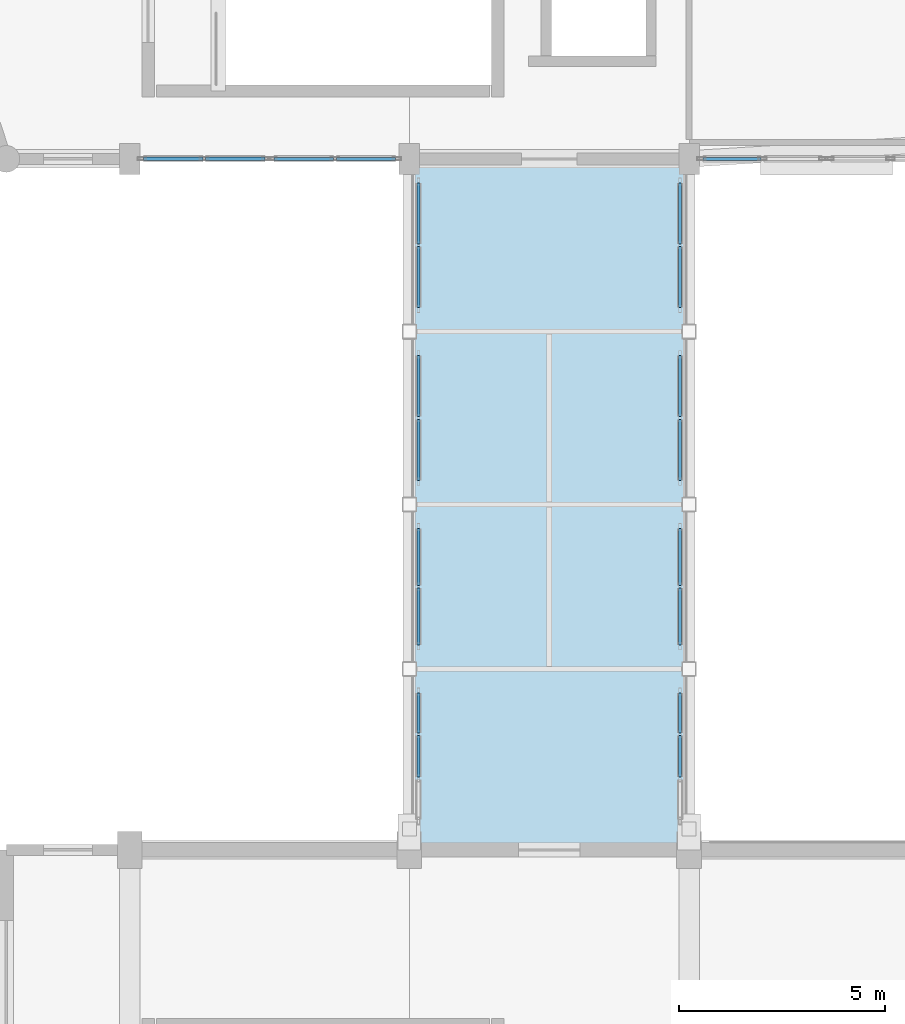
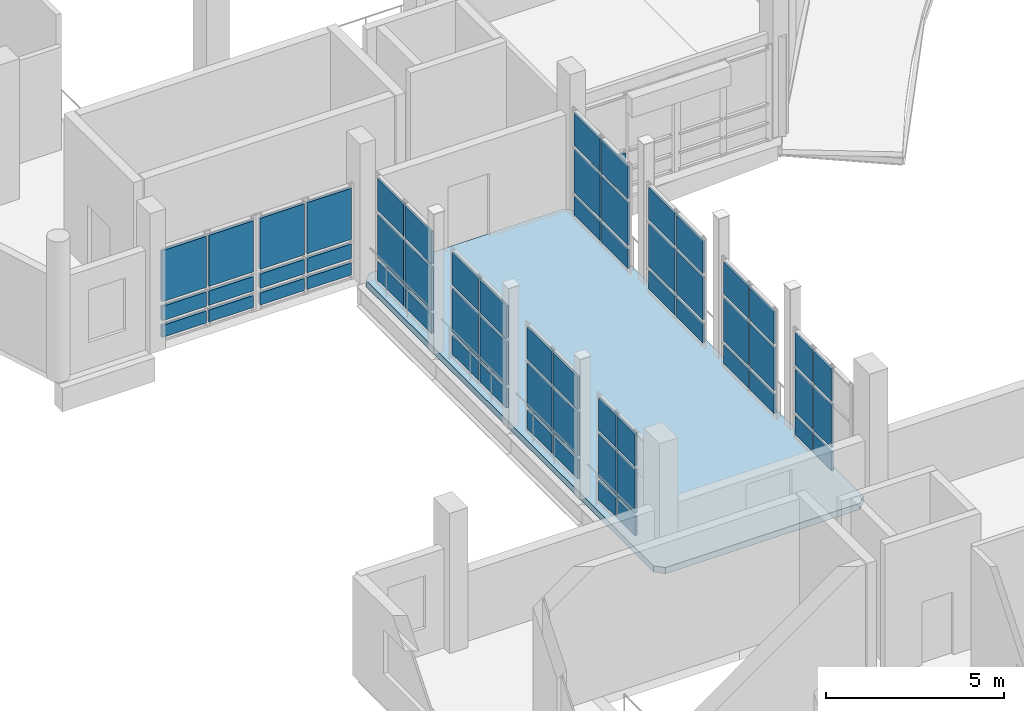
# One storey, part 69 of 106: 62 plates, 1 slab, 11 elements without a shape of their own.
"""IFC4 building model written with IfcOpenShell, lengths in metres."""

from ifc_helpers import new_model, si_unit, direction, frame, origin, origin_2d, place, context, subcontext, project, spatial, polyline, rectangle, outline, extrude, material, layer, layer_set, type_object, element, aggregate, save


model = new_model("IFC4")

# Units and contexts
model_context = context("Model", 3, precision=1e-05, world=origin(), true_north=direction((0.0, 1.0)))
body_context = subcontext(model_context, "Body", "Model", "MODEL_VIEW")
ifc_project = project(units=[si_unit("LENGTHUNIT", "METRE"), si_unit("AREAUNIT", "SQUARE_METRE"), si_unit("VOLUMEUNIT", "CUBIC_METRE"), si_unit("PLANEANGLEUNIT", "RADIAN"), si_unit("MASSUNIT", "GRAM", prefix="KILO")], contexts=[model_context])

# Site, building, storey
site_placement = place(None, origin())
site = spatial("IfcSite", under=ifc_project, at=site_placement, CompositionType="ELEMENT")
building_placement = place(site_placement, origin())
building = spatial("IfcBuilding", under=site, at=building_placement, Name="Kisaragi Civic Commons", CompositionType="ELEMENT")
storey_placement = place(building_placement, frame((0.0, 0.0, 4.800048828125)))
storey = spatial("IfcBuildingStorey", under=building, at=storey_placement, Name="L01", CompositionType="ELEMENT", Elevation=4.800048828125)

# Curtain wall, plates
ifc_material_1 = material(Name="Thermally broken anodized aluminium and low-E double glazing", Category="aluminium")
ifc_layer_1 = layer(ifc_material_1, 0.179931640625, Name="Thermally broken anodized aluminium and low-E double glazing", Category="aluminium")
ifc_layer_set_1 = layer_set([ifc_layer_1], Name="Thermally broken anodized aluminium and low-E double glazing")
curtain_wall_type_1 = type_object("IfcCurtainWallType", Name="CW-04", PredefinedType="NOTDEFINED", material=ifc_layer_set_1)
curtain_wall_1_placement = place(storey_placement, origin())
curtain_wall_1 = element("IfcCurtainWall", 1, at=curtain_wall_1_placement, inside=storey, type_object=curtain_wall_type_1, Name="L01 curtain wall CW-04 CW-BR-125", PredefinedType="NOTDEFINED")
ifc_layer_2 = layer(ifc_material_1, 0.068115234375, Name="Thermally broken anodized aluminium and low-E double glazing", Category="aluminium")
ifc_layer_set_2 = layer_set([ifc_layer_2], Name="Thermally broken anodized aluminium and low-E double glazing")
plate_type_1 = type_object("IfcPlateType", Name="CWP-08", PredefinedType="CURTAIN_PANEL", material=ifc_layer_set_2)
plate_1_placement = place(storey_placement, frame((13.820068359375, 64.675048828125, 0.14013671875), z_axis=(0.0, 0.0, 1.0), x_axis=(0.0, 1.0, 0.0)))
plate_1 = element("IfcPlate", 2, at=plate_1_placement, type_object=plate_type_1, Name="CW-04 panel 2.1", PredefinedType="CURTAIN_PANEL", context=body_context, shape_type="SweptSolid", body=[
    extrude(rectangle(XDim=1.0048828125, YDim=0.068115234375, at=origin_2d()), origin(), (0.0, 0.0, 1.0), 0.639892578125),
])
plate_2_placement = place(storey_placement, frame((13.820068359375, 64.675048828125, 0.919921875), z_axis=(0.0, 0.0, 1.0), x_axis=(0.0, 1.0, 0.0)))
plate_2 = element("IfcPlate", 3, at=plate_2_placement, type_object=plate_type_1, Name="CW-04 panel 2.2", PredefinedType="CURTAIN_PANEL", context=body_context, shape_type="SweptSolid", body=[
    extrude(rectangle(XDim=1.0048828125, YDim=0.068115234375, at=origin_2d()), origin(), (0.0, 0.0, 1.0), 1.4599609375),
])
plate_3_placement = place(storey_placement, frame((13.820068359375, 64.675048828125, 2.52001953125), z_axis=(0.0, 0.0, 1.0), x_axis=(0.0, 1.0, 0.0)))
plate_3 = element("IfcPlate", 4, at=plate_3_placement, type_object=plate_type_1, Name="CW-04 panel 2.3", PredefinedType="CURTAIN_PANEL", context=body_context, shape_type="SweptSolid", body=[
    extrude(rectangle(XDim=1.0048828125, YDim=0.068115234375, at=origin_2d()), origin(), (0.0, 0.0, 1.0), 1.10009765625),
])
plate_4_placement = place(storey_placement, frame((13.820068359375, 65.728759765625, 0.14013671875), z_axis=(0.0, 0.0, 1.0), x_axis=(0.0, 1.0, 0.0)))
plate_4 = element("IfcPlate", 5, at=plate_4_placement, type_object=plate_type_1, Name="CW-04 panel 3.1", PredefinedType="CURTAIN_PANEL", context=body_context, shape_type="SweptSolid", body=[
    extrude(rectangle(XDim=0.972412109375, YDim=0.068115234375, at=origin_2d()), origin(), (0.0, 0.0, 1.0), 0.639892578125),
])
plate_5_placement = place(storey_placement, frame((13.820068359375, 65.728759765625, 0.919921875), z_axis=(0.0, 0.0, 1.0), x_axis=(0.0, 1.0, 0.0)))
plate_5 = element("IfcPlate", 6, at=plate_5_placement, type_object=plate_type_1, Name="CW-04 panel 3.2", PredefinedType="CURTAIN_PANEL", context=body_context, shape_type="SweptSolid", body=[
    extrude(rectangle(XDim=0.972412109375, YDim=0.068115234375, at=origin_2d()), origin(), (0.0, 0.0, 1.0), 1.4599609375),
])
plate_6_placement = place(storey_placement, frame((13.820068359375, 65.728759765625, 2.52001953125), z_axis=(0.0, 0.0, 1.0), x_axis=(0.0, 1.0, 0.0)))
plate_6 = element("IfcPlate", 7, at=plate_6_placement, type_object=plate_type_1, Name="CW-04 panel 3.3", PredefinedType="CURTAIN_PANEL", context=body_context, shape_type="SweptSolid", body=[
    extrude(rectangle(XDim=0.972412109375, YDim=0.068115234375, at=origin_2d()), origin(), (0.0, 0.0, 1.0), 1.10009765625),
])
aggregate(curtain_wall_1, [plate_1, plate_2, plate_3, plate_4, plate_5, plate_6])

curtain_wall_2_placement = place(storey_placement, origin())
curtain_wall_2 = element("IfcCurtainWall", 8, at=curtain_wall_2_placement, inside=storey, type_object=curtain_wall_type_1, Name="L01 curtain wall CW-04 CW-BR-126", PredefinedType="NOTDEFINED")
plate_7_placement = place(storey_placement, frame((13.820068359375, 68.076171875, 0.14013671875), z_axis=(0.0, 0.0, 1.0), x_axis=(0.0, 1.0, 0.0)))
plate_7 = element("IfcPlate", 9, at=plate_7_placement, type_object=plate_type_1, Name="CW-04 panel 1.1", PredefinedType="CURTAIN_PANEL", context=body_context, shape_type="SweptSolid", body=[
    extrude(rectangle(XDim=1.382568359375, YDim=0.068115234375, at=origin_2d()), origin(), (0.0, 0.0, 1.0), 0.639892578125),
])
plate_8_placement = place(storey_placement, frame((13.820068359375, 68.076171875, 0.919921875), z_axis=(0.0, 0.0, 1.0), x_axis=(0.0, 1.0, 0.0)))
plate_8 = element("IfcPlate", 10, at=plate_8_placement, type_object=plate_type_1, Name="CW-04 panel 1.2", PredefinedType="CURTAIN_PANEL", context=body_context, shape_type="SweptSolid", body=[
    extrude(rectangle(XDim=1.382568359375, YDim=0.068115234375, at=origin_2d()), origin(), (0.0, 0.0, 1.0), 1.4599609375),
])
plate_9_placement = place(storey_placement, frame((13.820068359375, 68.076171875, 2.52001953125), z_axis=(0.0, 0.0, 1.0), x_axis=(0.0, 1.0, 0.0)))
plate_9 = element("IfcPlate", 11, at=plate_9_placement, type_object=plate_type_1, Name="CW-04 panel 1.3", PredefinedType="CURTAIN_PANEL", context=body_context, shape_type="SweptSolid", body=[
    extrude(rectangle(XDim=1.382568359375, YDim=0.068115234375, at=origin_2d()), origin(), (0.0, 0.0, 1.0), 1.10009765625),
])
plate_10_placement = place(storey_placement, frame((13.820068359375, 69.523681640625, 0.14013671875), z_axis=(0.0, 0.0, 1.0), x_axis=(0.0, 1.0, 0.0)))
plate_10 = element("IfcPlate", 12, at=plate_10_placement, type_object=plate_type_1, Name="CW-04 panel 2.1", PredefinedType="CURTAIN_PANEL", context=body_context, shape_type="SweptSolid", body=[
    extrude(rectangle(XDim=1.382568359375, YDim=0.068115234375, at=origin_2d()), origin(), (0.0, 0.0, 1.0), 0.639892578125),
])
plate_11_placement = place(storey_placement, frame((13.820068359375, 69.523681640625, 0.919921875), z_axis=(0.0, 0.0, 1.0), x_axis=(0.0, 1.0, 0.0)))
plate_11 = element("IfcPlate", 13, at=plate_11_placement, type_object=plate_type_1, Name="CW-04 panel 2.2", PredefinedType="CURTAIN_PANEL", context=body_context, shape_type="SweptSolid", body=[
    extrude(rectangle(XDim=1.382568359375, YDim=0.068115234375, at=origin_2d()), origin(), (0.0, 0.0, 1.0), 1.4599609375),
])
plate_12_placement = place(storey_placement, frame((13.820068359375, 69.523681640625, 2.52001953125), z_axis=(0.0, 0.0, 1.0), x_axis=(0.0, 1.0, 0.0)))
plate_12 = element("IfcPlate", 14, at=plate_12_placement, type_object=plate_type_1, Name="CW-04 panel 2.3", PredefinedType="CURTAIN_PANEL", context=body_context, shape_type="SweptSolid", body=[
    extrude(rectangle(XDim=1.382568359375, YDim=0.068115234375, at=origin_2d()), origin(), (0.0, 0.0, 1.0), 1.10009765625),
])
aggregate(curtain_wall_2, [plate_7, plate_8, plate_9, plate_10, plate_11, plate_12])

curtain_wall_3_placement = place(storey_placement, origin())
curtain_wall_3 = element("IfcCurtainWall", 15, at=curtain_wall_3_placement, inside=storey, type_object=curtain_wall_type_1, Name="L01 curtain wall CW-04 CW-BR-127", PredefinedType="NOTDEFINED")
plate_13_placement = place(storey_placement, frame((13.820068359375, 72.126220703125, 0.14013671875), z_axis=(0.0, 0.0, 1.0), x_axis=(0.0, 1.0, 0.0)))
plate_13 = element("IfcPlate", 16, at=plate_13_placement, type_object=plate_type_1, Name="CW-04 panel 1.1", PredefinedType="CURTAIN_PANEL", context=body_context, shape_type="SweptSolid", body=[
    extrude(rectangle(XDim=1.482421875, YDim=0.068115234375, at=origin_2d()), origin(), (0.0, 0.0, 1.0), 0.639892578125),
])
plate_14_placement = place(storey_placement, frame((13.820068359375, 72.126220703125, 0.919921875), z_axis=(0.0, 0.0, 1.0), x_axis=(0.0, 1.0, 0.0)))
plate_14 = element("IfcPlate", 17, at=plate_14_placement, type_object=plate_type_1, Name="CW-04 panel 1.2", PredefinedType="CURTAIN_PANEL", context=body_context, shape_type="SweptSolid", body=[
    extrude(rectangle(XDim=1.482421875, YDim=0.068115234375, at=origin_2d()), origin(), (0.0, 0.0, 1.0), 1.4599609375),
])
plate_15_placement = place(storey_placement, frame((13.820068359375, 72.126220703125, 2.52001953125), z_axis=(0.0, 0.0, 1.0), x_axis=(0.0, 1.0, 0.0)))
plate_15 = element("IfcPlate", 18, at=plate_15_placement, type_object=plate_type_1, Name="CW-04 panel 1.3", PredefinedType="CURTAIN_PANEL", context=body_context, shape_type="SweptSolid", body=[
    extrude(rectangle(XDim=1.482421875, YDim=0.068115234375, at=origin_2d()), origin(), (0.0, 0.0, 1.0), 1.10009765625),
])
plate_16_placement = place(storey_placement, frame((13.820068359375, 73.673828125, 0.14013671875), z_axis=(0.0, 0.0, 1.0), x_axis=(0.0, 1.0, 0.0)))
plate_16 = element("IfcPlate", 19, at=plate_16_placement, type_object=plate_type_1, Name="CW-04 panel 2.1", PredefinedType="CURTAIN_PANEL", context=body_context, shape_type="SweptSolid", body=[
    extrude(rectangle(XDim=1.482421875, YDim=0.068115234375, at=origin_2d()), origin(), (0.0, 0.0, 1.0), 0.639892578125),
])
plate_17_placement = place(storey_placement, frame((13.820068359375, 73.673828125, 0.919921875), z_axis=(0.0, 0.0, 1.0), x_axis=(0.0, 1.0, 0.0)))
plate_17 = element("IfcPlate", 20, at=plate_17_placement, type_object=plate_type_1, Name="CW-04 panel 2.2", PredefinedType="CURTAIN_PANEL", context=body_context, shape_type="SweptSolid", body=[
    extrude(rectangle(XDim=1.482421875, YDim=0.068115234375, at=origin_2d()), origin(), (0.0, 0.0, 1.0), 1.4599609375),
])
plate_18_placement = place(storey_placement, frame((13.820068359375, 73.673828125, 2.52001953125), z_axis=(0.0, 0.0, 1.0), x_axis=(0.0, 1.0, 0.0)))
plate_18 = element("IfcPlate", 21, at=plate_18_placement, type_object=plate_type_1, Name="CW-04 panel 2.3", PredefinedType="CURTAIN_PANEL", context=body_context, shape_type="SweptSolid", body=[
    extrude(rectangle(XDim=1.482421875, YDim=0.068115234375, at=origin_2d()), origin(), (0.0, 0.0, 1.0), 1.10009765625),
])
aggregate(curtain_wall_3, [plate_13, plate_14, plate_15, plate_16, plate_17, plate_18])

curtain_wall_4_placement = place(storey_placement, origin())
curtain_wall_4 = element("IfcCurtainWall", 22, at=curtain_wall_4_placement, inside=storey, type_object=curtain_wall_type_1, Name="L01 curtain wall CW-04 CW-BR-128", PredefinedType="NOTDEFINED")
plate_19_placement = place(storey_placement, frame((13.820068359375, 76.326171875, 0.14013671875), z_axis=(0.0, 0.0, 1.0), x_axis=(0.0, 1.0, 0.0)))
plate_19 = element("IfcPlate", 23, at=plate_19_placement, type_object=plate_type_1, Name="CW-04 panel 1.1", PredefinedType="CURTAIN_PANEL", context=body_context, shape_type="SweptSolid", body=[
    extrude(rectangle(XDim=1.482421875, YDim=0.068115234375, at=origin_2d()), origin(), (0.0, 0.0, 1.0), 0.639892578125),
])
plate_20_placement = place(storey_placement, frame((13.820068359375, 76.326171875, 0.919921875), z_axis=(0.0, 0.0, 1.0), x_axis=(0.0, 1.0, 0.0)))
plate_20 = element("IfcPlate", 24, at=plate_20_placement, type_object=plate_type_1, Name="CW-04 panel 1.2", PredefinedType="CURTAIN_PANEL", context=body_context, shape_type="SweptSolid", body=[
    extrude(rectangle(XDim=1.482421875, YDim=0.068115234375, at=origin_2d()), origin(), (0.0, 0.0, 1.0), 1.4599609375),
])
plate_21_placement = place(storey_placement, frame((13.820068359375, 76.326171875, 2.52001953125), z_axis=(0.0, 0.0, 1.0), x_axis=(0.0, 1.0, 0.0)))
plate_21 = element("IfcPlate", 25, at=plate_21_placement, type_object=plate_type_1, Name="CW-04 panel 1.3", PredefinedType="CURTAIN_PANEL", context=body_context, shape_type="SweptSolid", body=[
    extrude(rectangle(XDim=1.482421875, YDim=0.068115234375, at=origin_2d()), origin(), (0.0, 0.0, 1.0), 1.10009765625),
])
plate_22_placement = place(storey_placement, frame((13.820068359375, 77.873779296875, 0.14013671875), z_axis=(0.0, 0.0, 1.0), x_axis=(0.0, 1.0, 0.0)))
plate_22 = element("IfcPlate", 26, at=plate_22_placement, type_object=plate_type_1, Name="CW-04 panel 2.1", PredefinedType="CURTAIN_PANEL", context=body_context, shape_type="SweptSolid", body=[
    extrude(rectangle(XDim=1.482421875, YDim=0.068115234375, at=origin_2d()), origin(), (0.0, 0.0, 1.0), 0.639892578125),
])
plate_23_placement = place(storey_placement, frame((13.820068359375, 77.873779296875, 0.919921875), z_axis=(0.0, 0.0, 1.0), x_axis=(0.0, 1.0, 0.0)))
plate_23 = element("IfcPlate", 27, at=plate_23_placement, type_object=plate_type_1, Name="CW-04 panel 2.2", PredefinedType="CURTAIN_PANEL", context=body_context, shape_type="SweptSolid", body=[
    extrude(rectangle(XDim=1.482421875, YDim=0.068115234375, at=origin_2d()), origin(), (0.0, 0.0, 1.0), 1.4599609375),
])
plate_24_placement = place(storey_placement, frame((13.820068359375, 77.873779296875, 2.52001953125), z_axis=(0.0, 0.0, 1.0), x_axis=(0.0, 1.0, 0.0)))
plate_24 = element("IfcPlate", 28, at=plate_24_placement, type_object=plate_type_1, Name="CW-04 panel 2.3", PredefinedType="CURTAIN_PANEL", context=body_context, shape_type="SweptSolid", body=[
    extrude(rectangle(XDim=1.482421875, YDim=0.068115234375, at=origin_2d()), origin(), (0.0, 0.0, 1.0), 1.10009765625),
])
aggregate(curtain_wall_4, [plate_19, plate_20, plate_21, plate_22, plate_23, plate_24])

curtain_wall_5_placement = place(storey_placement, origin())
curtain_wall_5 = element("IfcCurtainWall", 29, at=curtain_wall_5_placement, inside=storey, type_object=curtain_wall_type_1, Name="L01 curtain wall CW-04 CW-BR-129", PredefinedType="NOTDEFINED")
plate_25_placement = place(storey_placement, frame((20.179931640625, 64.675048828125, 0.14013671875), z_axis=(0.0, 0.0, 1.0), x_axis=(0.0, 1.0, 0.0)))
plate_25 = element("IfcPlate", 30, at=plate_25_placement, type_object=plate_type_1, Name="CW-04 panel 2.1", PredefinedType="CURTAIN_PANEL", context=body_context, shape_type="SweptSolid", body=[
    extrude(rectangle(XDim=1.0048828125, YDim=0.068115234375, at=origin_2d()), origin(), (0.0, 0.0, 1.0), 0.639892578125),
])
plate_26_placement = place(storey_placement, frame((20.179931640625, 64.675048828125, 0.919921875), z_axis=(0.0, 0.0, 1.0), x_axis=(0.0, 1.0, 0.0)))
plate_26 = element("IfcPlate", 31, at=plate_26_placement, type_object=plate_type_1, Name="CW-04 panel 2.2", PredefinedType="CURTAIN_PANEL", context=body_context, shape_type="SweptSolid", body=[
    extrude(rectangle(XDim=1.0048828125, YDim=0.068115234375, at=origin_2d()), origin(), (0.0, 0.0, 1.0), 1.4599609375),
])
plate_27_placement = place(storey_placement, frame((20.179931640625, 64.675048828125, 2.52001953125), z_axis=(0.0, 0.0, 1.0), x_axis=(0.0, 1.0, 0.0)))
plate_27 = element("IfcPlate", 32, at=plate_27_placement, type_object=plate_type_1, Name="CW-04 panel 2.3", PredefinedType="CURTAIN_PANEL", context=body_context, shape_type="SweptSolid", body=[
    extrude(rectangle(XDim=1.0048828125, YDim=0.068115234375, at=origin_2d()), origin(), (0.0, 0.0, 1.0), 1.10009765625),
])
plate_28_placement = place(storey_placement, frame((20.179931640625, 65.728759765625, 0.14013671875), z_axis=(0.0, 0.0, 1.0), x_axis=(0.0, 1.0, 0.0)))
plate_28 = element("IfcPlate", 33, at=plate_28_placement, type_object=plate_type_1, Name="CW-04 panel 3.1", PredefinedType="CURTAIN_PANEL", context=body_context, shape_type="SweptSolid", body=[
    extrude(rectangle(XDim=0.972412109375, YDim=0.068115234375, at=origin_2d()), origin(), (0.0, 0.0, 1.0), 0.639892578125),
])
plate_29_placement = place(storey_placement, frame((20.179931640625, 65.728759765625, 0.919921875), z_axis=(0.0, 0.0, 1.0), x_axis=(0.0, 1.0, 0.0)))
plate_29 = element("IfcPlate", 34, at=plate_29_placement, type_object=plate_type_1, Name="CW-04 panel 3.2", PredefinedType="CURTAIN_PANEL", context=body_context, shape_type="SweptSolid", body=[
    extrude(rectangle(XDim=0.972412109375, YDim=0.068115234375, at=origin_2d()), origin(), (0.0, 0.0, 1.0), 1.4599609375),
])
plate_30_placement = place(storey_placement, frame((20.179931640625, 65.728759765625, 2.52001953125), z_axis=(0.0, 0.0, 1.0), x_axis=(0.0, 1.0, 0.0)))
plate_30 = element("IfcPlate", 35, at=plate_30_placement, type_object=plate_type_1, Name="CW-04 panel 3.3", PredefinedType="CURTAIN_PANEL", context=body_context, shape_type="SweptSolid", body=[
    extrude(rectangle(XDim=0.972412109375, YDim=0.068115234375, at=origin_2d()), origin(), (0.0, 0.0, 1.0), 1.10009765625),
])
aggregate(curtain_wall_5, [plate_25, plate_26, plate_27, plate_28, plate_29, plate_30])

curtain_wall_6_placement = place(storey_placement, origin())
curtain_wall_6 = element("IfcCurtainWall", 36, at=curtain_wall_6_placement, inside=storey, type_object=curtain_wall_type_1, Name="L01 curtain wall CW-04 CW-BR-130", PredefinedType="NOTDEFINED")
plate_31_placement = place(storey_placement, frame((20.179931640625, 68.076171875, 0.14013671875), z_axis=(0.0, 0.0, 1.0), x_axis=(0.0, 1.0, 0.0)))
plate_31 = element("IfcPlate", 37, at=plate_31_placement, type_object=plate_type_1, Name="CW-04 panel 1.1", PredefinedType="CURTAIN_PANEL", context=body_context, shape_type="SweptSolid", body=[
    extrude(rectangle(XDim=1.382568359375, YDim=0.068115234375, at=origin_2d()), origin(), (0.0, 0.0, 1.0), 0.639892578125),
])
plate_32_placement = place(storey_placement, frame((20.179931640625, 68.076171875, 0.919921875), z_axis=(0.0, 0.0, 1.0), x_axis=(0.0, 1.0, 0.0)))
plate_32 = element("IfcPlate", 38, at=plate_32_placement, type_object=plate_type_1, Name="CW-04 panel 1.2", PredefinedType="CURTAIN_PANEL", context=body_context, shape_type="SweptSolid", body=[
    extrude(rectangle(XDim=1.382568359375, YDim=0.068115234375, at=origin_2d()), origin(), (0.0, 0.0, 1.0), 1.4599609375),
])
plate_33_placement = place(storey_placement, frame((20.179931640625, 68.076171875, 2.52001953125), z_axis=(0.0, 0.0, 1.0), x_axis=(0.0, 1.0, 0.0)))
plate_33 = element("IfcPlate", 39, at=plate_33_placement, type_object=plate_type_1, Name="CW-04 panel 1.3", PredefinedType="CURTAIN_PANEL", context=body_context, shape_type="SweptSolid", body=[
    extrude(rectangle(XDim=1.382568359375, YDim=0.068115234375, at=origin_2d()), origin(), (0.0, 0.0, 1.0), 1.10009765625),
])
plate_34_placement = place(storey_placement, frame((20.179931640625, 69.523681640625, 0.14013671875), z_axis=(0.0, 0.0, 1.0), x_axis=(0.0, 1.0, 0.0)))
plate_34 = element("IfcPlate", 40, at=plate_34_placement, type_object=plate_type_1, Name="CW-04 panel 2.1", PredefinedType="CURTAIN_PANEL", context=body_context, shape_type="SweptSolid", body=[
    extrude(rectangle(XDim=1.382568359375, YDim=0.068115234375, at=origin_2d()), origin(), (0.0, 0.0, 1.0), 0.639892578125),
])
plate_35_placement = place(storey_placement, frame((20.179931640625, 69.523681640625, 0.919921875), z_axis=(0.0, 0.0, 1.0), x_axis=(0.0, 1.0, 0.0)))
plate_35 = element("IfcPlate", 41, at=plate_35_placement, type_object=plate_type_1, Name="CW-04 panel 2.2", PredefinedType="CURTAIN_PANEL", context=body_context, shape_type="SweptSolid", body=[
    extrude(rectangle(XDim=1.382568359375, YDim=0.068115234375, at=origin_2d()), origin(), (0.0, 0.0, 1.0), 1.4599609375),
])
plate_36_placement = place(storey_placement, frame((20.179931640625, 69.523681640625, 2.52001953125), z_axis=(0.0, 0.0, 1.0), x_axis=(0.0, 1.0, 0.0)))
plate_36 = element("IfcPlate", 42, at=plate_36_placement, type_object=plate_type_1, Name="CW-04 panel 2.3", PredefinedType="CURTAIN_PANEL", context=body_context, shape_type="SweptSolid", body=[
    extrude(rectangle(XDim=1.382568359375, YDim=0.068115234375, at=origin_2d()), origin(), (0.0, 0.0, 1.0), 1.10009765625),
])
aggregate(curtain_wall_6, [plate_31, plate_32, plate_33, plate_34, plate_35, plate_36])

curtain_wall_7_placement = place(storey_placement, origin())
curtain_wall_7 = element("IfcCurtainWall", 43, at=curtain_wall_7_placement, inside=storey, type_object=curtain_wall_type_1, Name="L01 curtain wall CW-04 CW-BR-131", PredefinedType="NOTDEFINED")
plate_37_placement = place(storey_placement, frame((20.179931640625, 72.126220703125, 0.14013671875), z_axis=(0.0, 0.0, 1.0), x_axis=(0.0, 1.0, 0.0)))
plate_37 = element("IfcPlate", 44, at=plate_37_placement, type_object=plate_type_1, Name="CW-04 panel 1.1", PredefinedType="CURTAIN_PANEL", context=body_context, shape_type="SweptSolid", body=[
    extrude(rectangle(XDim=1.482421875, YDim=0.068115234375, at=origin_2d()), origin(), (0.0, 0.0, 1.0), 0.639892578125),
])
plate_38_placement = place(storey_placement, frame((20.179931640625, 72.126220703125, 0.919921875), z_axis=(0.0, 0.0, 1.0), x_axis=(0.0, 1.0, 0.0)))
plate_38 = element("IfcPlate", 45, at=plate_38_placement, type_object=plate_type_1, Name="CW-04 panel 1.2", PredefinedType="CURTAIN_PANEL", context=body_context, shape_type="SweptSolid", body=[
    extrude(rectangle(XDim=1.482421875, YDim=0.068115234375, at=origin_2d()), origin(), (0.0, 0.0, 1.0), 1.4599609375),
])
plate_39_placement = place(storey_placement, frame((20.179931640625, 72.126220703125, 2.52001953125), z_axis=(0.0, 0.0, 1.0), x_axis=(0.0, 1.0, 0.0)))
plate_39 = element("IfcPlate", 46, at=plate_39_placement, type_object=plate_type_1, Name="CW-04 panel 1.3", PredefinedType="CURTAIN_PANEL", context=body_context, shape_type="SweptSolid", body=[
    extrude(rectangle(XDim=1.482421875, YDim=0.068115234375, at=origin_2d()), origin(), (0.0, 0.0, 1.0), 1.10009765625),
])
plate_40_placement = place(storey_placement, frame((20.179931640625, 73.673828125, 0.14013671875), z_axis=(0.0, 0.0, 1.0), x_axis=(0.0, 1.0, 0.0)))
plate_40 = element("IfcPlate", 47, at=plate_40_placement, type_object=plate_type_1, Name="CW-04 panel 2.1", PredefinedType="CURTAIN_PANEL", context=body_context, shape_type="SweptSolid", body=[
    extrude(rectangle(XDim=1.482421875, YDim=0.068115234375, at=origin_2d()), origin(), (0.0, 0.0, 1.0), 0.639892578125),
])
plate_41_placement = place(storey_placement, frame((20.179931640625, 73.673828125, 0.919921875), z_axis=(0.0, 0.0, 1.0), x_axis=(0.0, 1.0, 0.0)))
plate_41 = element("IfcPlate", 48, at=plate_41_placement, type_object=plate_type_1, Name="CW-04 panel 2.2", PredefinedType="CURTAIN_PANEL", context=body_context, shape_type="SweptSolid", body=[
    extrude(rectangle(XDim=1.482421875, YDim=0.068115234375, at=origin_2d()), origin(), (0.0, 0.0, 1.0), 1.4599609375),
])
plate_42_placement = place(storey_placement, frame((20.179931640625, 73.673828125, 2.52001953125), z_axis=(0.0, 0.0, 1.0), x_axis=(0.0, 1.0, 0.0)))
plate_42 = element("IfcPlate", 49, at=plate_42_placement, type_object=plate_type_1, Name="CW-04 panel 2.3", PredefinedType="CURTAIN_PANEL", context=body_context, shape_type="SweptSolid", body=[
    extrude(rectangle(XDim=1.482421875, YDim=0.068115234375, at=origin_2d()), origin(), (0.0, 0.0, 1.0), 1.10009765625),
])
aggregate(curtain_wall_7, [plate_37, plate_38, plate_39, plate_40, plate_41, plate_42])

curtain_wall_8_placement = place(storey_placement, origin())
curtain_wall_8 = element("IfcCurtainWall", 50, at=curtain_wall_8_placement, inside=storey, type_object=curtain_wall_type_1, Name="L01 curtain wall CW-04 CW-BR-132", PredefinedType="NOTDEFINED")
plate_43_placement = place(storey_placement, frame((20.179931640625, 76.326171875, 0.14013671875), z_axis=(0.0, 0.0, 1.0), x_axis=(0.0, 1.0, 0.0)))
plate_43 = element("IfcPlate", 51, at=plate_43_placement, type_object=plate_type_1, Name="CW-04 panel 1.1", PredefinedType="CURTAIN_PANEL", context=body_context, shape_type="SweptSolid", body=[
    extrude(rectangle(XDim=1.482421875, YDim=0.068115234375, at=origin_2d()), origin(), (0.0, 0.0, 1.0), 0.639892578125),
])
plate_44_placement = place(storey_placement, frame((20.179931640625, 76.326171875, 0.919921875), z_axis=(0.0, 0.0, 1.0), x_axis=(0.0, 1.0, 0.0)))
plate_44 = element("IfcPlate", 52, at=plate_44_placement, type_object=plate_type_1, Name="CW-04 panel 1.2", PredefinedType="CURTAIN_PANEL", context=body_context, shape_type="SweptSolid", body=[
    extrude(rectangle(XDim=1.482421875, YDim=0.068115234375, at=origin_2d()), origin(), (0.0, 0.0, 1.0), 1.4599609375),
])
plate_45_placement = place(storey_placement, frame((20.179931640625, 76.326171875, 2.52001953125), z_axis=(0.0, 0.0, 1.0), x_axis=(0.0, 1.0, 0.0)))
plate_45 = element("IfcPlate", 53, at=plate_45_placement, type_object=plate_type_1, Name="CW-04 panel 1.3", PredefinedType="CURTAIN_PANEL", context=body_context, shape_type="SweptSolid", body=[
    extrude(rectangle(XDim=1.482421875, YDim=0.068115234375, at=origin_2d()), origin(), (0.0, 0.0, 1.0), 1.10009765625),
])
plate_46_placement = place(storey_placement, frame((20.179931640625, 77.873779296875, 0.14013671875), z_axis=(0.0, 0.0, 1.0), x_axis=(0.0, 1.0, 0.0)))
plate_46 = element("IfcPlate", 54, at=plate_46_placement, type_object=plate_type_1, Name="CW-04 panel 2.1", PredefinedType="CURTAIN_PANEL", context=body_context, shape_type="SweptSolid", body=[
    extrude(rectangle(XDim=1.482421875, YDim=0.068115234375, at=origin_2d()), origin(), (0.0, 0.0, 1.0), 0.639892578125),
])
plate_47_placement = place(storey_placement, frame((20.179931640625, 77.873779296875, 0.919921875), z_axis=(0.0, 0.0, 1.0), x_axis=(0.0, 1.0, 0.0)))
plate_47 = element("IfcPlate", 55, at=plate_47_placement, type_object=plate_type_1, Name="CW-04 panel 2.2", PredefinedType="CURTAIN_PANEL", context=body_context, shape_type="SweptSolid", body=[
    extrude(rectangle(XDim=1.482421875, YDim=0.068115234375, at=origin_2d()), origin(), (0.0, 0.0, 1.0), 1.4599609375),
])
plate_48_placement = place(storey_placement, frame((20.179931640625, 77.873779296875, 2.52001953125), z_axis=(0.0, 0.0, 1.0), x_axis=(0.0, 1.0, 0.0)))
plate_48 = element("IfcPlate", 56, at=plate_48_placement, type_object=plate_type_1, Name="CW-04 panel 2.3", PredefinedType="CURTAIN_PANEL", context=body_context, shape_type="SweptSolid", body=[
    extrude(rectangle(XDim=1.482421875, YDim=0.068115234375, at=origin_2d()), origin(), (0.0, 0.0, 1.0), 1.10009765625),
])
aggregate(curtain_wall_8, [plate_43, plate_44, plate_45, plate_46, plate_47, plate_48])

ifc_layer_3 = layer(ifc_material_1, 0.2099609375, Name="Thermally broken anodized aluminium and low-E double glazing", Category="aluminium")
ifc_layer_set_3 = layer_set([ifc_layer_3], Name="Thermally broken anodized aluminium and low-E double glazing")
curtain_wall_type_2 = type_object("IfcCurtainWallType", Name="CW-02", PredefinedType="NOTDEFINED", material=ifc_layer_set_3)
curtain_wall_9_placement = place(storey_placement, origin())
curtain_wall_9 = element("IfcCurtainWall", 57, at=curtain_wall_9_placement, inside=storey, type_object=curtain_wall_type_2, Name="L01 curtain wall CW-02 CW-V2-L01-006", PredefinedType="NOTDEFINED")
ifc_layer_4 = layer(ifc_material_1, 0.073974609375, Name="Thermally broken anodized aluminium and low-E double glazing", Category="aluminium")
ifc_layer_set_4 = layer_set([ifc_layer_4], Name="Thermally broken anodized aluminium and low-E double glazing")
plate_type_2 = type_object("IfcPlateType", Name="CWP-09", PredefinedType="CURTAIN_PANEL", material=ifc_layer_set_4)
plate_49_placement = place(storey_placement, frame((21.44189453125, 79.199951171875, 0.16015625), z_axis=(0.0, 0.0, 1.0), x_axis=(-1.0, 0.0, 0.0)))
plate_49 = element("IfcPlate", 58, at=plate_49_placement, type_object=plate_type_2, Name="CW-02 panel 2.1", PredefinedType="CURTAIN_PANEL", context=body_context, shape_type="SweptSolid", body=[
    extrude(rectangle(XDim=1.413818359375, YDim=0.073974609375, at=origin_2d()), origin(), (0.0, 0.0, 1.0), 0.409912109375),
])
plate_50_placement = place(storey_placement, frame((21.44189453125, 79.199951171875, 0.72998046875), z_axis=(0.0, 0.0, 1.0), x_axis=(-1.0, 0.0, 0.0)))
plate_50 = element("IfcPlate", 59, at=plate_50_placement, type_object=plate_type_2, Name="CW-02 panel 2.2", PredefinedType="CURTAIN_PANEL", context=body_context, shape_type="SweptSolid", body=[
    extrude(rectangle(XDim=1.413818359375, YDim=0.073974609375, at=origin_2d()), origin(), (0.0, 0.0, 1.0), 0.489990234375),
])
aggregate(curtain_wall_9, [plate_49, plate_50])

curtain_wall_10_placement = place(storey_placement, origin())
curtain_wall_10 = element("IfcCurtainWall", 60, at=curtain_wall_10_placement, inside=storey, type_object=curtain_wall_type_2, Name="L01 curtain wall CW-02 CW-V2-L01-007", PredefinedType="NOTDEFINED")
ifc_layer_5 = layer(ifc_material_1, 0.080078125, Name="Thermally broken anodized aluminium and low-E double glazing", Category="aluminium")
ifc_layer_set_5 = layer_set([ifc_layer_5], Name="Thermally broken anodized aluminium and low-E double glazing")
plate_type_3 = type_object("IfcPlateType", Name="CWP-10", PredefinedType="CURTAIN_PANEL", material=ifc_layer_set_5)
plate_51_placement = place(storey_placement, frame((12.543701171875, 79.199951171875, 0.16015625), z_axis=(0.0, 0.0, 1.0), x_axis=(-1.0, 0.0, 0.0)))
plate_51 = element("IfcPlate", 61, at=plate_51_placement, type_object=plate_type_3, Name="CW-02 panel 1.1", PredefinedType="CURTAIN_PANEL", context=body_context, shape_type="SweptSolid", body=[
    extrude(rectangle(XDim=1.4423828125, YDim=0.080078125, at=origin_2d()), origin(), (0.0, 0.0, 1.0), 0.409912109375),
])
plate_52_placement = place(storey_placement, frame((12.543701171875, 79.199951171875, 0.72998046875), z_axis=(0.0, 0.0, 1.0), x_axis=(-1.0, 0.0, 0.0)))
plate_52 = element("IfcPlate", 62, at=plate_52_placement, type_object=plate_type_3, Name="CW-02 panel 1.2", PredefinedType="CURTAIN_PANEL", context=body_context, shape_type="SweptSolid", body=[
    extrude(rectangle(XDim=1.4423828125, YDim=0.080078125, at=origin_2d()), origin(), (0.0, 0.0, 1.0), 0.489990234375),
])
plate_53_placement = place(storey_placement, frame((12.543701171875, 79.199951171875, 1.3798828125), z_axis=(0.0, 0.0, 1.0), x_axis=(-1.0, 0.0, 0.0)))
plate_53 = element("IfcPlate", 63, at=plate_53_placement, type_object=plate_type_3, Name="CW-02 panel 1.3", PredefinedType="CURTAIN_PANEL", context=body_context, shape_type="SweptSolid", body=[
    extrude(rectangle(XDim=1.4423828125, YDim=0.080078125, at=origin_2d()), origin(), (0.0, 0.0, 1.0), 1.7451171875),
])
plate_54_placement = place(storey_placement, frame((11.03125, 79.199951171875, 0.16015625), z_axis=(0.0, 0.0, 1.0), x_axis=(-1.0, 0.0, 0.0)))
plate_54 = element("IfcPlate", 64, at=plate_54_placement, type_object=plate_type_3, Name="CW-02 panel 2.1", PredefinedType="CURTAIN_PANEL", context=body_context, shape_type="SweptSolid", body=[
    extrude(rectangle(XDim=1.4423828125, YDim=0.080078125, at=origin_2d()), origin(), (0.0, 0.0, 1.0), 0.409912109375),
])
plate_55_placement = place(storey_placement, frame((11.03125, 79.199951171875, 0.72998046875), z_axis=(0.0, 0.0, 1.0), x_axis=(-1.0, 0.0, 0.0)))
plate_55 = element("IfcPlate", 65, at=plate_55_placement, type_object=plate_type_3, Name="CW-02 panel 2.2", PredefinedType="CURTAIN_PANEL", context=body_context, shape_type="SweptSolid", body=[
    extrude(rectangle(XDim=1.4423828125, YDim=0.080078125, at=origin_2d()), origin(), (0.0, 0.0, 1.0), 0.489990234375),
])
plate_56_placement = place(storey_placement, frame((11.03125, 79.199951171875, 1.3798828125), z_axis=(0.0, 0.0, 1.0), x_axis=(-1.0, 0.0, 0.0)))
plate_56 = element("IfcPlate", 66, at=plate_56_placement, type_object=plate_type_3, Name="CW-02 panel 2.3", PredefinedType="CURTAIN_PANEL", context=body_context, shape_type="SweptSolid", body=[
    extrude(rectangle(XDim=1.4423828125, YDim=0.080078125, at=origin_2d()), origin(), (0.0, 0.0, 1.0), 1.7451171875),
])
aggregate(curtain_wall_10, [plate_51, plate_52, plate_53, plate_54, plate_55, plate_56])

curtain_wall_11_placement = place(storey_placement, origin())
curtain_wall_11 = element("IfcCurtainWall", 67, at=curtain_wall_11_placement, inside=storey, type_object=curtain_wall_type_2, Name="L01 curtain wall CW-02 CW-V2-L01-008", PredefinedType="NOTDEFINED")
ifc_layer_6 = layer(ifc_material_1, 0.0859375, Name="Thermally broken anodized aluminium and low-E double glazing", Category="aluminium")
ifc_layer_set_6 = layer_set([ifc_layer_6], Name="Thermally broken anodized aluminium and low-E double glazing")
plate_type_4 = type_object("IfcPlateType", Name="CWP-12", PredefinedType="CURTAIN_PANEL", material=ifc_layer_set_6)
plate_57_placement = place(storey_placement, frame((9.36865234375, 79.199951171875, 0.16015625), z_axis=(0.0, 0.0, 1.0), x_axis=(-1.0, 0.0, 0.0)))
plate_57 = element("IfcPlate", 68, at=plate_57_placement, type_object=plate_type_4, Name="CW-02 panel 1.1", PredefinedType="CURTAIN_PANEL", context=body_context, shape_type="SweptSolid", body=[
    extrude(rectangle(XDim=1.4423828125, YDim=0.0859375, at=origin_2d()), origin(), (0.0, 0.0, 1.0), 0.409912109375),
])
plate_58_placement = place(storey_placement, frame((9.36865234375, 79.199951171875, 0.72998046875), z_axis=(0.0, 0.0, 1.0), x_axis=(-1.0, 0.0, 0.0)))
plate_58 = element("IfcPlate", 69, at=plate_58_placement, type_object=plate_type_4, Name="CW-02 panel 1.2", PredefinedType="CURTAIN_PANEL", context=body_context, shape_type="SweptSolid", body=[
    extrude(rectangle(XDim=1.4423828125, YDim=0.0859375, at=origin_2d()), origin(), (0.0, 0.0, 1.0), 0.489990234375),
])
plate_59_placement = place(storey_placement, frame((9.36865234375, 79.199951171875, 1.3798828125), z_axis=(0.0, 0.0, 1.0), x_axis=(-1.0, 0.0, 0.0)))
plate_59 = element("IfcPlate", 70, at=plate_59_placement, type_object=plate_type_4, Name="CW-02 panel 1.3", PredefinedType="CURTAIN_PANEL", context=body_context, shape_type="SweptSolid", body=[
    extrude(rectangle(XDim=1.4423828125, YDim=0.0859375, at=origin_2d()), origin(), (0.0, 0.0, 1.0), 1.7451171875),
])
plate_60_placement = place(storey_placement, frame((7.856201171875, 79.199951171875, 0.16015625), z_axis=(0.0, 0.0, 1.0), x_axis=(-1.0, 0.0, 0.0)))
plate_60 = element("IfcPlate", 71, at=plate_60_placement, type_object=plate_type_4, Name="CW-02 panel 2.1", PredefinedType="CURTAIN_PANEL", context=body_context, shape_type="SweptSolid", body=[
    extrude(rectangle(XDim=1.4423828125, YDim=0.0859375, at=origin_2d()), origin(), (0.0, 0.0, 1.0), 0.409912109375),
])
plate_61_placement = place(storey_placement, frame((7.856201171875, 79.199951171875, 0.72998046875), z_axis=(0.0, 0.0, 1.0), x_axis=(-1.0, 0.0, 0.0)))
plate_61 = element("IfcPlate", 72, at=plate_61_placement, type_object=plate_type_4, Name="CW-02 panel 2.2", PredefinedType="CURTAIN_PANEL", context=body_context, shape_type="SweptSolid", body=[
    extrude(rectangle(XDim=1.4423828125, YDim=0.0859375, at=origin_2d()), origin(), (0.0, 0.0, 1.0), 0.489990234375),
])
plate_62_placement = place(storey_placement, frame((7.856201171875, 79.199951171875, 1.3798828125), z_axis=(0.0, 0.0, 1.0), x_axis=(-1.0, 0.0, 0.0)))
plate_62 = element("IfcPlate", 73, at=plate_62_placement, type_object=plate_type_4, Name="CW-02 panel 2.3", PredefinedType="CURTAIN_PANEL", context=body_context, shape_type="SweptSolid", body=[
    extrude(rectangle(XDim=1.4423828125, YDim=0.0859375, at=origin_2d()), origin(), (0.0, 0.0, 1.0), 1.7451171875),
])
aggregate(curtain_wall_11, [plate_57, plate_58, plate_59, plate_60, plate_61, plate_62])

# Slab
ifc_material_2 = material(Name="Concrete Fc30", Category="concrete")
ifc_layer_7 = layer(ifc_material_2, 0.215087890625, Name="Concrete Fc30", Category="concrete")
ifc_layer_set_7 = layer_set([ifc_layer_7], Name="Concrete Fc30")
slab_type = type_object("IfcSlabType", Name="SL-BR", PredefinedType="FLOOR", material=ifc_layer_set_7)
slab_placement = place(storey_placement, frame((0.0, 0.0, -0.215087890625)))
element("IfcSlab", 74, at=slab_placement, inside=storey, type_object=slab_type, Name="BR-V2-V1 L01 bridge deck slab", PredefinedType="FLOOR", context=body_context, shape_type="SweptSolid", body=[
    extrude(outline(polyline([(13.85009765625, 62.570068359375), (20.14990234375, 62.570068359375), (20.39990234375, 62.820068359375), (20.39990234375, 78.929931640625), (20.14990234375, 79.179931640625), (13.85009765625, 79.179931640625), (13.60009765625, 78.929931640625), (13.60009765625, 62.820068359375), (13.85009765625, 62.570068359375)])), origin(), (0.0, 0.0, 1.0), 0.215087890625),
])

save(model, "model.ifc")
